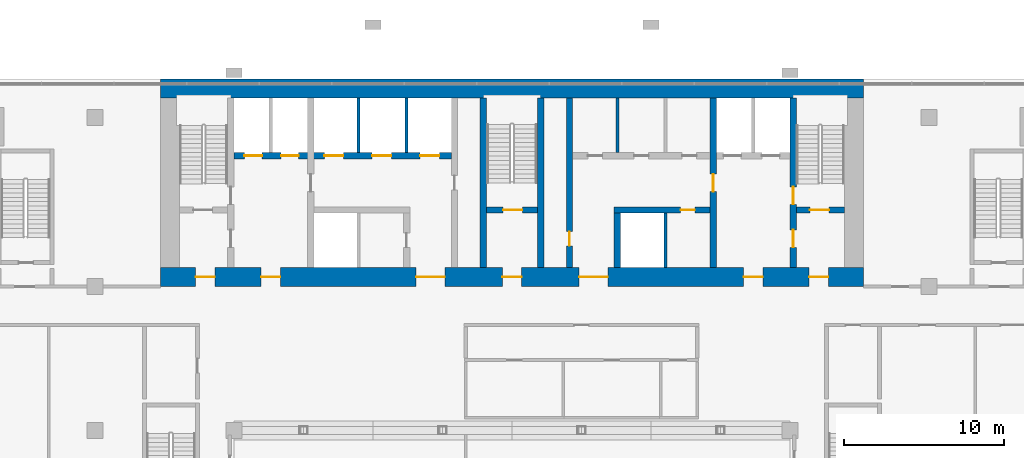
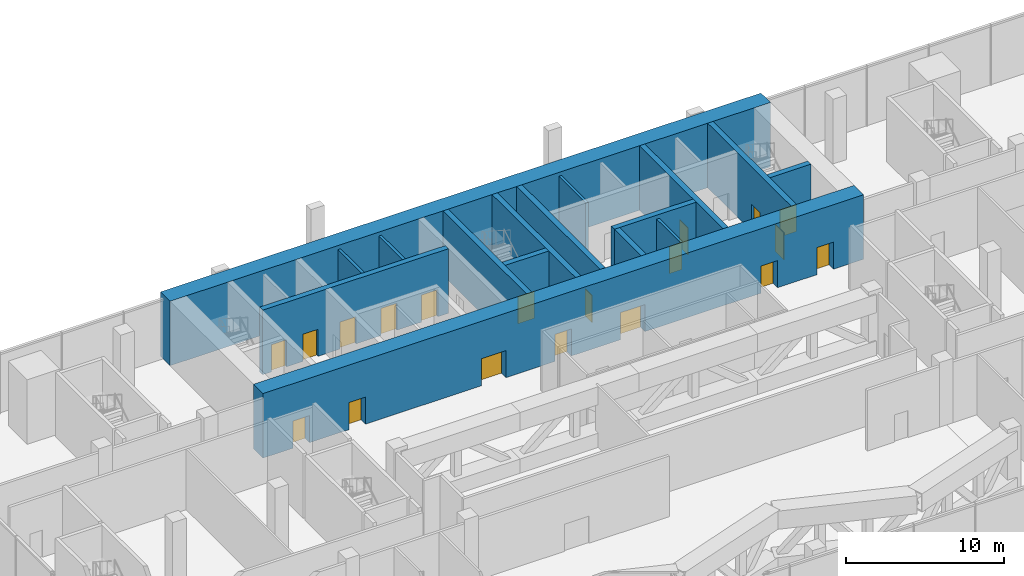
# One storey, part 15 of 22: 19 doors, 16 walls, 19 openings.
"""IFC4 building model written with IfcOpenShell, lengths in metres."""

from ifc_helpers import new_model, si_unit, direction, frame, frame_2d, origin, place, context, subcontext, project, spatial, rectangle, extrude, material, layer, layer_set, type_object, element, fill, save


model = new_model("IFC4")

# Units and contexts
model_context = context("Model", 3, precision=1e-05, world=origin(), true_north=direction((0.0, 1.0)))
body_context = subcontext(model_context, "Body", "Model", "MODEL_VIEW")
ifc_project = project(units=[si_unit("LENGTHUNIT", "METRE"), si_unit("AREAUNIT", "SQUARE_METRE"), si_unit("VOLUMEUNIT", "CUBIC_METRE"), si_unit("PLANEANGLEUNIT", "RADIAN"), si_unit("MASSUNIT", "GRAM", prefix="KILO")], contexts=[model_context])

# Site, building, storey
site_placement = place(None, origin())
site = spatial("IfcSite", under=ifc_project, at=site_placement, CompositionType="ELEMENT")
building_placement = place(site_placement, origin())
building = spatial("IfcBuilding", under=site, at=building_placement, Name="Bicima Exchange Tower", CompositionType="ELEMENT")
storey_placement = place(building_placement, frame((0.0, 0.0, 20.0)))
storey = spatial("IfcBuildingStorey", under=building, at=storey_placement, Name="L03", CompositionType="ELEMENT", Elevation=20.0)

# Walls
ifc_material_1 = material(Name="Gypsum board partition")
ifc_layer_1 = layer(ifc_material_1, 0.199951171875)
ifc_layer_set_1 = layer_set([ifc_layer_1], Name="Gypsum board partition")
wall_type_1 = type_object("IfcWallType", Name="Fire-rated gypsum partition 200 EI120", PredefinedType="PARTITIONING", material=ifc_layer_set_1)
for number, where, z_axis, x_axis, name in (
    (1, (-9.60009765625, -4.60009765625, 0.0), (0.0, 0.0, 1.0), (0.0, 1.0, 0.0), "partition wall 12"),
    (2, (-6.60009765625, -4.60009765625, 0.0), (0.0, 0.0, 1.0), (0.0, 1.0, 0.0), "partition wall 14"),
    (3, (9.60009765625, -11.800048828125, 0.0), (0.0, 0.0, 1.0), (0.0, 1.0, 0.0), "partition wall 21"),
):
    element("IfcWall", number, at=place(storey_placement, frame(where, z_axis=z_axis, x_axis=x_axis)), inside=storey, type_object=wall_type_1, Name=name, PredefinedType="PARTITIONING", context=body_context, shape_type="SweptSolid", body=[
        extrude(rectangle(XDim=3.400146484375, YDim=0.199951171875, at=frame_2d((1.7001953125, 0.0))), origin(), (0.0, 0.0, 1.0), 4.699951171875),
    ])
ifc_layer_2 = layer(ifc_material_1, 0.199951171875)
ifc_layer_set_2 = layer_set([ifc_layer_2], Name="Gypsum board partition")
wall_type_2 = type_object("IfcWallType", Name="Fire-rated gypsum partition 200 EI60", PredefinedType="PARTITIONING", material=ifc_layer_set_2)
wall_1_placement = place(storey_placement, frame((6.60009765625, -4.60009765625, 0.0), z_axis=(0.0, 0.0, 1.0), x_axis=(0.0, 1.0, 0.0)))
element("IfcWall", 4, at=wall_1_placement, inside=storey, type_object=wall_type_2, Name="partition wall 20", PredefinedType="PARTITIONING", context=body_context, shape_type="SweptSolid", body=[
    extrude(rectangle(XDim=3.400146484375, YDim=0.199951171875, at=frame_2d((1.7001953125, 0.0))), origin(), (0.0, 0.0, 1.0), 4.699951171875),
])
ifc_material_2 = material(Name="Concrete C60/75", Category="concrete")
ifc_layer_3 = layer(ifc_material_2, 1.199951171875)
ifc_layer_set_3 = layer_set([ifc_layer_3], Name="Concrete C60/75")
wall_type_3 = type_object("IfcWallType", Name="RC core wall 1200 C60/75", PredefinedType="SHEAR", material=ifc_layer_set_3)
wall_2_placement = place(storey_placement, frame((-22.0, -0.60009765625, 0.0), z_axis=(0.0, 0.0, 1.0), x_axis=(1.0, 0.0, 0.0)))
element("IfcWall", 5, at=wall_2_placement, inside=storey, type_object=wall_type_3, Name="Core wall north", PredefinedType="SHEAR", context=body_context, shape_type="SweptSolid", body=[
    extrude(rectangle(XDim=44.0, YDim=1.199951171875, at=frame_2d((22.0, 0.0))), origin(), (0.0, 0.0, 1.0), 5.0),
])

# Wall, openings, doors
wall_3_placement = place(storey_placement, frame((-22.0, -12.39990234375, 0.0), z_axis=(0.0, 0.0, 1.0), x_axis=(1.0, 0.0, 0.0)))
wall_3 = element("IfcWall", 6, at=wall_3_placement, inside=storey, type_object=wall_type_3, Name="Core wall south", PredefinedType="SHEAR", context=body_context, shape_type="SweptSolid", body=[
    extrude(rectangle(XDim=44.0, YDim=1.199951171875, at=frame_2d((22.0, 0.0))), origin(), (0.0, 0.0, 1.0), 5.0),
])
opening_1_placement = place(wall_3_placement, frame((2.199951171875, 0.0, 0.0)))
opening_1 = element("IfcOpeningElement", 7, at=opening_1_placement, cuts=wall_3, Name="Opening L03-C17", PredefinedType="OPENING", context=body_context, shape_type="SweptSolid", body=[
    extrude(rectangle(XDim=1.199951171875, YDim=2.10009765625, at=frame_2d((0.60009765625, 1.050048828125))), frame((0.0, 0.61181640625, 0.0), z_axis=(0.0, -1.0, 0.0), x_axis=(1.0, 0.0, 0.0)), (0.0, 0.0, 1.0), 1.223876953125),
])
opening_2_placement = place(wall_3_placement, frame((21.39990234375, 0.0, 0.0)))
opening_2 = element("IfcOpeningElement", 8, at=opening_2_placement, cuts=wall_3, Name="Opening L03-C18", PredefinedType="OPENING", context=body_context, shape_type="SweptSolid", body=[
    extrude(rectangle(XDim=1.199951171875, YDim=2.10009765625, at=frame_2d((0.60009765625, 1.050048828125))), frame((0.0, 0.61181640625, 0.0), z_axis=(0.0, -1.0, 0.0), x_axis=(1.0, 0.0, 0.0)), (0.0, 0.0, 1.0), 1.223876953125),
])
opening_3_placement = place(wall_3_placement, frame((40.60009765625, 0.0, 0.0)))
opening_3 = element("IfcOpeningElement", 9, at=opening_3_placement, cuts=wall_3, Name="Opening L03-C19", PredefinedType="OPENING", context=body_context, shape_type="SweptSolid", body=[
    extrude(rectangle(XDim=1.199951171875, YDim=2.10009765625, at=frame_2d((0.60009765625, 1.050048828125))), frame((0.0, 0.61181640625, 0.0), z_axis=(0.0, -1.0, 0.0), x_axis=(1.0, 0.0, 0.0)), (0.0, 0.0, 1.0), 1.223876953125),
])
opening_4_placement = place(wall_3_placement, frame((16.0, 0.0, 0.0)))
opening_4 = element("IfcOpeningElement", 10, at=opening_4_placement, cuts=wall_3, Name="Opening L03-C20", PredefinedType="OPENING", context=body_context, shape_type="SweptSolid", body=[
    extrude(rectangle(XDim=1.800048828125, YDim=2.10009765625, at=frame_2d((0.89990234375, 1.050048828125))), frame((0.0, 0.61181640625, 0.0), z_axis=(0.0, -1.0, 0.0), x_axis=(1.0, 0.0, 0.0)), (0.0, 0.0, 1.0), 1.223876953125),
])
opening_5_placement = place(wall_3_placement, frame((6.300048828125, 0.0, 0.0)))
opening_5 = element("IfcOpeningElement", 11, at=opening_5_placement, cuts=wall_3, Name="Opening L03-C21", PredefinedType="OPENING", context=body_context, shape_type="SweptSolid", body=[
    extrude(rectangle(XDim=1.199951171875, YDim=2.10009765625, at=frame_2d((0.60009765625, 1.050048828125))), frame((0.0, 0.61181640625, 0.0), z_axis=(0.0, -1.0, 0.0), x_axis=(1.0, 0.0, 0.0)), (0.0, 0.0, 1.0), 1.223876953125),
])
opening_6_placement = place(wall_3_placement, frame((26.199951171875, 0.0, 0.0)))
opening_6 = element("IfcOpeningElement", 12, at=opening_6_placement, cuts=wall_3, Name="Opening L03-C22", PredefinedType="OPENING", context=body_context, shape_type="SweptSolid", body=[
    extrude(rectangle(XDim=1.800048828125, YDim=2.10009765625, at=frame_2d((0.89990234375, 1.050048828125))), frame((0.0, 0.61181640625, 0.0), z_axis=(0.0, -1.0, 0.0), x_axis=(1.0, 0.0, 0.0)), (0.0, 0.0, 1.0), 1.223876953125),
])
opening_7_placement = place(wall_3_placement, frame((36.5, 0.0, 0.0)))
opening_7 = element("IfcOpeningElement", 13, at=opening_7_placement, cuts=wall_3, Name="Opening L03-C23", PredefinedType="OPENING", context=body_context, shape_type="SweptSolid", body=[
    extrude(rectangle(XDim=1.199951171875, YDim=2.10009765625, at=frame_2d((0.60009765625, 1.050048828125))), frame((0.0, 0.61181640625, 0.0), z_axis=(0.0, -1.0, 0.0), x_axis=(1.0, 0.0, 0.0)), (0.0, 0.0, 1.0), 1.223876953125),
])
ifc_material_3 = material(Name="Steel fire door leaf", Category="steel")
door_type_1 = type_object("IfcDoorType", Name="Door 1200 swing FD60S", OperationType="SINGLE_SWING_LEFT", PredefinedType="DOOR", material=ifc_material_3)
door_1_placement = place(opening_1_placement, frame((1.199951171875, 0.0, 0.0), z_axis=(0.0, 0.0, 1.0), x_axis=(-1.0, 0.0, 0.0)))
door_1 = element("IfcDoor", 14, at=door_1_placement, inside=storey, type_object=door_type_1, Name="Core door", OperationType="SINGLE_SWING_RIGHT", OverallHeight=2.10009765625, OverallWidth=1.199951171875, PredefinedType="DOOR", context=body_context, shape_type="SweptSolid", body=[
    extrude(rectangle(XDim=1.199951171875, YDim=2.10009765625, at=frame_2d((0.60009765625, 1.050048828125))), frame((0.0, 0.02490234375, 0.0), z_axis=(0.0, -1.0, 0.0), x_axis=(1.0, 0.0, 0.0)), (0.0, 0.0, 1.0), 0.050048828125),
])
fill(opening_1, door_1)
door_2_placement = place(opening_2_placement, frame((1.199951171875, 0.0, 0.0), z_axis=(0.0, 0.0, 1.0), x_axis=(-1.0, 0.0, 0.0)))
door_2 = element("IfcDoor", 15, at=door_2_placement, inside=storey, type_object=door_type_1, Name="Core door", OperationType="SINGLE_SWING_RIGHT", OverallHeight=2.10009765625, OverallWidth=1.199951171875, PredefinedType="DOOR", context=body_context, shape_type="SweptSolid", body=[
    extrude(rectangle(XDim=1.199951171875, YDim=2.10009765625, at=frame_2d((0.60009765625, 1.050048828125))), frame((0.0, 0.02490234375, 0.0), z_axis=(0.0, -1.0, 0.0), x_axis=(1.0, 0.0, 0.0)), (0.0, 0.0, 1.0), 0.050048828125),
])
fill(opening_2, door_2)
door_3_placement = place(opening_3_placement, frame((1.199951171875, 0.0, 0.0), z_axis=(0.0, 0.0, 1.0), x_axis=(-1.0, 0.0, 0.0)))
door_3 = element("IfcDoor", 16, at=door_3_placement, inside=storey, type_object=door_type_1, Name="Core door", OperationType="SINGLE_SWING_RIGHT", OverallHeight=2.10009765625, OverallWidth=1.199951171875, PredefinedType="DOOR", context=body_context, shape_type="SweptSolid", body=[
    extrude(rectangle(XDim=1.199951171875, YDim=2.10009765625, at=frame_2d((0.60009765625, 1.050048828125))), frame((0.0, 0.02490234375, 0.0), z_axis=(0.0, -1.0, 0.0), x_axis=(1.0, 0.0, 0.0)), (0.0, 0.0, 1.0), 0.050048828125),
])
fill(opening_3, door_3)
door_4_placement = place(opening_5_placement, frame((1.199951171875, 0.0, 0.0), z_axis=(0.0, 0.0, 1.0), x_axis=(-1.0, 0.0, 0.0)))
door_4 = element("IfcDoor", 17, at=door_4_placement, inside=storey, type_object=door_type_1, Name="Core door", OperationType="SINGLE_SWING_RIGHT", OverallHeight=2.10009765625, OverallWidth=1.199951171875, PredefinedType="DOOR", context=body_context, shape_type="SweptSolid", body=[
    extrude(rectangle(XDim=1.199951171875, YDim=2.10009765625, at=frame_2d((0.60009765625, 1.050048828125))), frame((0.0, 0.02490234375, 0.0), z_axis=(0.0, -1.0, 0.0), x_axis=(1.0, 0.0, 0.0)), (0.0, 0.0, 1.0), 0.050048828125),
])
fill(opening_5, door_4)
door_5_placement = place(opening_7_placement, frame((1.199951171875, 0.0, 0.0), z_axis=(0.0, 0.0, 1.0), x_axis=(-1.0, 0.0, 0.0)))
door_5 = element("IfcDoor", 18, at=door_5_placement, inside=storey, type_object=door_type_1, Name="Core door", OperationType="SINGLE_SWING_RIGHT", OverallHeight=2.10009765625, OverallWidth=1.199951171875, PredefinedType="DOOR", context=body_context, shape_type="SweptSolid", body=[
    extrude(rectangle(XDim=1.199951171875, YDim=2.10009765625, at=frame_2d((0.60009765625, 1.050048828125))), frame((0.0, 0.02490234375, 0.0), z_axis=(0.0, -1.0, 0.0), x_axis=(1.0, 0.0, 0.0)), (0.0, 0.0, 1.0), 0.050048828125),
])
fill(opening_7, door_5)
door_type_2 = type_object("IfcDoorType", Name="Door 1800 double swing FD30S", OperationType="DOUBLE_DOOR_SINGLE_SWING", PredefinedType="DOOR", material=ifc_material_3)
door_6_placement = place(opening_4_placement, origin())
door_6 = element("IfcDoor", 19, at=door_6_placement, inside=storey, type_object=door_type_2, Name="Core door", OperationType="SINGLE_SWING_LEFT", OverallHeight=2.10009765625, OverallWidth=1.800048828125, PredefinedType="DOOR", context=body_context, shape_type="SweptSolid", body=[
    extrude(rectangle(XDim=1.800048828125, YDim=2.10009765625, at=frame_2d((0.89990234375, 1.050048828125))), frame((0.0, 0.02490234375, 0.0), z_axis=(0.0, -1.0, 0.0), x_axis=(1.0, 0.0, 0.0)), (0.0, 0.0, 1.0), 0.050048828125),
])
fill(opening_4, door_6)
door_7_placement = place(opening_6_placement, origin())
door_7 = element("IfcDoor", 20, at=door_7_placement, inside=storey, type_object=door_type_2, Name="Core door", OperationType="SINGLE_SWING_LEFT", OverallHeight=2.10009765625, OverallWidth=1.800048828125, PredefinedType="DOOR", context=body_context, shape_type="SweptSolid", body=[
    extrude(rectangle(XDim=1.800048828125, YDim=2.10009765625, at=frame_2d((0.89990234375, 1.050048828125))), frame((0.0, 0.02490234375, 0.0), z_axis=(0.0, -1.0, 0.0), x_axis=(1.0, 0.0, 0.0)), (0.0, 0.0, 1.0), 0.050048828125),
])
fill(opening_6, door_7)

# Wall, opening, door
ifc_material_4 = material(Name="Concrete C50/60", Category="concrete")
ifc_layer_4 = layer(ifc_material_4, 0.39990234375)
ifc_layer_set_4 = layer_set([ifc_layer_4], Name="Concrete C50/60")
wall_type_4 = type_object("IfcWallType", Name="RC core wall 400 C50/60", PredefinedType="SHEAR", material=ifc_layer_set_4)
wall_4_placement = place(storey_placement, frame((-1.60009765625, -8.199951171875, 0.0), z_axis=(0.0, 0.0, 1.0), x_axis=(1.0, 0.0, 0.0)))
wall_4 = element("IfcWall", 21, at=wall_4_placement, inside=storey, type_object=wall_type_4, Name="stair wall 3", PredefinedType="SHEAR", context=body_context, shape_type="SweptSolid", body=[
    extrude(rectangle(XDim=3.2001953125, YDim=0.39990234375, at=frame_2d((1.60009765625, 0.0))), origin(), (0.0, 0.0, 1.0), 5.0),
])
opening_8_placement = place(wall_4_placement, frame((1.050048828125, 0.0, 0.0)))
opening_8 = element("IfcOpeningElement", 22, at=opening_8_placement, cuts=wall_4, Name="Opening L03-C03", PredefinedType="OPENING", context=body_context, shape_type="SweptSolid", body=[
    extrude(rectangle(XDim=1.199951171875, YDim=2.10009765625, at=frame_2d((0.60009765625, 1.050048828125))), frame((0.0, 0.2119140625, 0.0), z_axis=(0.0, -1.0, 0.0), x_axis=(1.0, 0.0, 0.0)), (0.0, 0.0, 1.0), 0.423828125),
])
door_8_placement = place(opening_8_placement, origin())
door_8 = element("IfcDoor", 23, at=door_8_placement, inside=storey, type_object=door_type_1, Name="Core door", OperationType="SINGLE_SWING_LEFT", OverallHeight=2.10009765625, OverallWidth=1.199951171875, PredefinedType="DOOR", context=body_context, shape_type="SweptSolid", body=[
    extrude(rectangle(XDim=1.199951171875, YDim=2.10009765625, at=frame_2d((0.60009765625, 1.050048828125))), frame((0.0, 0.02490234375, 0.0), z_axis=(0.0, -1.0, 0.0), x_axis=(1.0, 0.0, 0.0)), (0.0, 0.0, 1.0), 0.050048828125),
])
fill(opening_8, door_8)

wall_5_placement = place(storey_placement, frame((17.800048828125, -8.199951171875, 0.0), z_axis=(0.0, 0.0, 1.0), x_axis=(1.0, 0.0, 0.0)))
wall_5 = element("IfcWall", 24, at=wall_5_placement, inside=storey, type_object=wall_type_4, Name="stair wall 5", PredefinedType="SHEAR", context=body_context, shape_type="SweptSolid", body=[
    extrude(rectangle(XDim=3.0, YDim=0.39990234375, at=frame_2d((1.5, 0.0))), origin(), (0.0, 0.0, 1.0), 5.0),
])
opening_9_placement = place(wall_5_placement, frame((0.85009765625, 0.0, 0.0)))
opening_9 = element("IfcOpeningElement", 25, at=opening_9_placement, cuts=wall_5, Name="Opening L03-C04", PredefinedType="OPENING", context=body_context, shape_type="SweptSolid", body=[
    extrude(rectangle(XDim=1.199951171875, YDim=2.10009765625, at=frame_2d((0.60009765625, 1.050048828125))), frame((0.0, 0.2119140625, 0.0), z_axis=(0.0, -1.0, 0.0), x_axis=(1.0, 0.0, 0.0)), (0.0, 0.0, 1.0), 0.423828125),
])
door_9_placement = place(opening_9_placement, origin())
door_9 = element("IfcDoor", 26, at=door_9_placement, inside=storey, type_object=door_type_1, Name="Core door", OperationType="SINGLE_SWING_RIGHT", OverallHeight=2.10009765625, OverallWidth=1.199951171875, PredefinedType="DOOR", context=body_context, shape_type="SweptSolid", body=[
    extrude(rectangle(XDim=1.199951171875, YDim=2.10009765625, at=frame_2d((0.60009765625, 1.050048828125))), frame((0.0, 0.02490234375, 0.0), z_axis=(0.0, -1.0, 0.0), x_axis=(1.0, 0.0, 0.0)), (0.0, 0.0, 1.0), 0.050048828125),
])
fill(opening_9, door_9)

# Walls
for number, where, z_axis, x_axis, name in (
    (27, (-1.800048828125, -11.800048828125, 0.0), (0.0, 0.0, 1.0), (0.0, 1.0, 0.0), "stair wall 16"),
    (28, (1.800048828125, -11.800048828125, 0.0), (0.0, 0.0, 1.0), (0.0, 1.0, 0.0), "stair wall 17"),
):
    element("IfcWall", number, at=place(storey_placement, frame(where, z_axis=z_axis, x_axis=x_axis)), inside=storey, type_object=wall_type_4, Name=name, PredefinedType="SHEAR", context=body_context, shape_type="SweptSolid", body=[
        extrude(rectangle(XDim=10.60009765625, YDim=0.39990234375, at=frame_2d((5.300048828125, 0.0))), origin(), (0.0, 0.0, 1.0), 5.0),
    ])

# Wall, openings, doors
wall_6_placement = place(storey_placement, frame((17.60009765625, -11.800048828125, 0.0), z_axis=(0.0, 0.0, 1.0), x_axis=(0.0, 1.0, 0.0)))
wall_6 = element("IfcWall", 29, at=wall_6_placement, inside=storey, type_object=wall_type_4, Name="stair wall 25", PredefinedType="SHEAR", context=body_context, shape_type="SweptSolid", body=[
    extrude(rectangle(XDim=10.60009765625, YDim=0.39990234375, at=frame_2d((5.300048828125, 0.0))), origin(), (0.0, 0.0, 1.0), 5.0),
])
opening_10_placement = place(wall_6_placement, frame((1.25, 0.0, 0.0)))
opening_10 = element("IfcOpeningElement", 30, at=opening_10_placement, cuts=wall_6, Name="Opening L03-C05", PredefinedType="OPENING", context=body_context, shape_type="SweptSolid", body=[
    extrude(rectangle(XDim=1.10009765625, YDim=2.10009765625, at=frame_2d((0.550048828125, 1.050048828125))), frame((0.0, 0.2119140625, 0.0), z_axis=(0.0, -1.0, 0.0), x_axis=(1.0, 0.0, 0.0)), (0.0, 0.0, 1.0), 0.423828125),
])
opening_11_placement = place(wall_6_placement, frame((3.949951171875, 0.0, 0.0)))
opening_11 = element("IfcOpeningElement", 31, at=opening_11_placement, cuts=wall_6, Name="Opening L03-C08", PredefinedType="OPENING", context=body_context, shape_type="SweptSolid", body=[
    extrude(rectangle(XDim=1.10009765625, YDim=2.10009765625, at=frame_2d((0.550048828125, 1.050048828125))), frame((0.0, 0.2119140625, 0.0), z_axis=(0.0, -1.0, 0.0), x_axis=(1.0, 0.0, 0.0)), (0.0, 0.0, 1.0), 0.423828125),
])
door_type_3 = type_object("IfcDoorType", Name="Door 1100 swing FD60S", OperationType="SINGLE_SWING_LEFT", PredefinedType="DOOR", material=ifc_material_3)
door_10_placement = place(opening_10_placement, origin())
door_10 = element("IfcDoor", 32, at=door_10_placement, inside=storey, type_object=door_type_3, Name="Core door", OperationType="SINGLE_SWING_LEFT", OverallHeight=2.10009765625, OverallWidth=1.10009765625, PredefinedType="DOOR", context=body_context, shape_type="SweptSolid", body=[
    extrude(rectangle(XDim=1.10009765625, YDim=2.10009765625, at=frame_2d((0.550048828125, 1.050048828125))), frame((0.0, 0.02490234375, 0.0), z_axis=(0.0, -1.0, 0.0), x_axis=(1.0, 0.0, 0.0)), (0.0, 0.0, 1.0), 0.050048828125),
])
fill(opening_10, door_10)
door_11_placement = place(opening_11_placement, origin())
door_11 = element("IfcDoor", 33, at=door_11_placement, inside=storey, type_object=door_type_3, Name="Core door", OperationType="SINGLE_SWING_RIGHT", OverallHeight=2.10009765625, OverallWidth=1.10009765625, PredefinedType="DOOR", context=body_context, shape_type="SweptSolid", body=[
    extrude(rectangle(XDim=1.10009765625, YDim=2.10009765625, at=frame_2d((0.550048828125, 1.050048828125))), frame((0.0, 0.02490234375, 0.0), z_axis=(0.0, -1.0, 0.0), x_axis=(1.0, 0.0, 0.0)), (0.0, 0.0, 1.0), 0.050048828125),
])
fill(opening_11, door_11)

# Wall, opening, door
ifc_layer_5 = layer(ifc_material_2, 0.39990234375)
ifc_layer_set_5 = layer_set([ifc_layer_5], Name="Concrete C60/75")
wall_type_5 = type_object("IfcWallType", Name="RC core wall 400 C60/75", PredefinedType="SHEAR", material=ifc_layer_set_5)
wall_7_placement = place(storey_placement, frame((6.39990234375, -8.199951171875, 0.0), z_axis=(0.0, 0.0, 1.0), x_axis=(1.0, 0.0, 0.0)))
wall_7 = element("IfcWall", 34, at=wall_7_placement, inside=storey, type_object=wall_type_5, Name="shear wall 4", PredefinedType="SHEAR", context=body_context, shape_type="SweptSolid", body=[
    extrude(rectangle(XDim=6.0, YDim=0.39990234375, at=frame_2d((3.0, 0.0))), origin(), (0.0, 0.0, 1.0), 5.0),
])
opening_12_placement = place(wall_7_placement, frame((4.14990234375, 0.0, 0.0)))
opening_12 = element("IfcOpeningElement", 35, at=opening_12_placement, cuts=wall_7, Name="Opening L03-C16", PredefinedType="OPENING", context=body_context, shape_type="SweptSolid", body=[
    extrude(rectangle(XDim=0.89990234375, YDim=2.10009765625, at=frame_2d((0.449951171875, 1.050048828125))), frame((0.0, 0.2119140625, 0.0), z_axis=(0.0, -1.0, 0.0), x_axis=(1.0, 0.0, 0.0)), (0.0, 0.0, 1.0), 0.423828125),
])
door_type_4 = type_object("IfcDoorType", Name="Door 900 swing FD30S", OperationType="SINGLE_SWING_LEFT", PredefinedType="DOOR", material=ifc_material_3)
door_12_placement = place(opening_12_placement, frame((0.89990234375, 0.0, 0.0), z_axis=(0.0, 0.0, 1.0), x_axis=(-1.0, 0.0, 0.0)))
door_12 = element("IfcDoor", 36, at=door_12_placement, inside=storey, type_object=door_type_4, Name="Core door", OperationType="SINGLE_SWING_LEFT", OverallHeight=2.10009765625, OverallWidth=0.89990234375, PredefinedType="DOOR", context=body_context, shape_type="SweptSolid", body=[
    extrude(rectangle(XDim=0.89990234375, YDim=2.10009765625, at=frame_2d((0.449951171875, 1.050048828125))), frame((0.0, 0.02490234375, 0.0), z_axis=(0.0, -1.0, 0.0), x_axis=(1.0, 0.0, 0.0)), (0.0, 0.0, 1.0), 0.050048828125),
])
fill(opening_12, door_12)

# Wall, openings, doors
wall_8_placement = place(storey_placement, frame((-17.39990234375, -4.800048828125, 0.0), z_axis=(0.0, 0.0, 1.0), x_axis=(1.0, 0.0, 0.0)))
wall_8 = element("IfcWall", 37, at=wall_8_placement, inside=storey, type_object=wall_type_5, Name="shear wall 6", PredefinedType="SHEAR", context=body_context, shape_type="SweptSolid", body=[
    extrude(rectangle(XDim=13.599853515625, YDim=0.39990234375, at=frame_2d((6.7998046875, 0.0))), origin(), (0.0, 0.0, 1.0), 5.0),
])
opening_13_placement = place(wall_8_placement, frame((0.64990234375, 0.0, 0.0)))
opening_13 = element("IfcOpeningElement", 38, at=opening_13_placement, cuts=wall_8, Name="Opening LD-FF1-L03", PredefinedType="OPENING", context=body_context, shape_type="SweptSolid", body=[
    extrude(rectangle(XDim=1.10009765625, YDim=2.10009765625, at=frame_2d((0.550048828125, 1.050048828125))), frame((0.0, 0.2119140625, 0.0), z_axis=(0.0, -1.0, 0.0), x_axis=(1.0, 0.0, 0.0)), (0.0, 0.0, 1.0), 0.423828125),
])
opening_14_placement = place(wall_8_placement, frame((2.949951171875, 0.0, 0.0)))
opening_14 = element("IfcOpeningElement", 39, at=opening_14_placement, cuts=wall_8, Name="Opening LD-FF3-L03", PredefinedType="OPENING", context=body_context, shape_type="SweptSolid", body=[
    extrude(rectangle(XDim=1.10009765625, YDim=2.10009765625, at=frame_2d((0.550048828125, 1.050048828125))), frame((0.0, 0.2119140625, 0.0), z_axis=(0.0, -1.0, 0.0), x_axis=(1.0, 0.0, 0.0)), (0.0, 0.0, 1.0), 0.423828125),
])
opening_15_placement = place(wall_8_placement, frame((5.64990234375, 0.0, 0.0)))
opening_15 = element("IfcOpeningElement", 40, at=opening_15_placement, cuts=wall_8, Name="Opening LD-LB1-L03", PredefinedType="OPENING", context=body_context, shape_type="SweptSolid", body=[
    extrude(rectangle(XDim=1.199951171875, YDim=2.10009765625, at=frame_2d((0.60009765625, 1.050048828125))), frame((0.0, 0.2119140625, 0.0), z_axis=(0.0, -1.0, 0.0), x_axis=(1.0, 0.0, 0.0)), (0.0, 0.0, 1.0), 0.423828125),
])
opening_16_placement = place(wall_8_placement, frame((8.64990234375, 0.0, 0.0)))
opening_16 = element("IfcOpeningElement", 41, at=opening_16_placement, cuts=wall_8, Name="Opening LD-LB2-L03", PredefinedType="OPENING", context=body_context, shape_type="SweptSolid", body=[
    extrude(rectangle(XDim=1.199951171875, YDim=2.10009765625, at=frame_2d((0.60009765625, 1.050048828125))), frame((0.0, 0.2119140625, 0.0), z_axis=(0.0, -1.0, 0.0), x_axis=(1.0, 0.0, 0.0)), (0.0, 0.0, 1.0), 0.423828125),
])
opening_17_placement = place(wall_8_placement, frame((11.64990234375, 0.0, 0.0)))
opening_17 = element("IfcOpeningElement", 42, at=opening_17_placement, cuts=wall_8, Name="Opening LD-LB3-L03", PredefinedType="OPENING", context=body_context, shape_type="SweptSolid", body=[
    extrude(rectangle(XDim=1.199951171875, YDim=2.10009765625, at=frame_2d((0.60009765625, 1.050048828125))), frame((0.0, 0.2119140625, 0.0), z_axis=(0.0, -1.0, 0.0), x_axis=(1.0, 0.0, 0.0)), (0.0, 0.0, 1.0), 0.423828125),
])
ifc_material_5 = material(Name="Stainless steel", Category="steel")
door_type_5 = type_object("IfcDoorType", Name="Lift landing door 1100 sliding", OperationType="DOUBLE_DOOR_SLIDING", PredefinedType="DOOR", material=ifc_material_5)
door_13_placement = place(opening_13_placement, origin())
door_13 = element("IfcDoor", 43, at=door_13_placement, inside=storey, type_object=door_type_5, Name="Lift landing door FF1", OperationType="DOUBLE_DOOR_SLIDING", OverallHeight=2.10009765625, OverallWidth=1.10009765625, PredefinedType="DOOR", context=body_context, shape_type="SweptSolid", body=[
    extrude(rectangle(XDim=1.10009765625, YDim=2.10009765625, at=frame_2d((0.550048828125, 1.050048828125))), frame((0.0, 0.02490234375, 0.0), z_axis=(0.0, -1.0, 0.0), x_axis=(1.0, 0.0, 0.0)), (0.0, 0.0, 1.0), 0.050048828125),
])
fill(opening_13, door_13)
door_14_placement = place(opening_14_placement, origin())
door_14 = element("IfcDoor", 44, at=door_14_placement, inside=storey, type_object=door_type_5, Name="Lift landing door FF3", OperationType="DOUBLE_DOOR_SLIDING", OverallHeight=2.10009765625, OverallWidth=1.10009765625, PredefinedType="DOOR", context=body_context, shape_type="SweptSolid", body=[
    extrude(rectangle(XDim=1.10009765625, YDim=2.10009765625, at=frame_2d((0.550048828125, 1.050048828125))), frame((0.0, 0.02490234375, 0.0), z_axis=(0.0, -1.0, 0.0), x_axis=(1.0, 0.0, 0.0)), (0.0, 0.0, 1.0), 0.050048828125),
])
fill(opening_14, door_14)
door_type_6 = type_object("IfcDoorType", Name="Lift landing door 1200 sliding", OperationType="DOUBLE_DOOR_SLIDING", PredefinedType="DOOR", material=ifc_material_5)
door_15_placement = place(opening_15_placement, origin())
door_15 = element("IfcDoor", 45, at=door_15_placement, inside=storey, type_object=door_type_6, Name="Lift landing door LB1", OperationType="DOUBLE_DOOR_SLIDING", OverallHeight=2.10009765625, OverallWidth=1.199951171875, PredefinedType="DOOR", context=body_context, shape_type="SweptSolid", body=[
    extrude(rectangle(XDim=1.199951171875, YDim=2.10009765625, at=frame_2d((0.60009765625, 1.050048828125))), frame((0.0, 0.02490234375, 0.0), z_axis=(0.0, -1.0, 0.0), x_axis=(1.0, 0.0, 0.0)), (0.0, 0.0, 1.0), 0.050048828125),
])
fill(opening_15, door_15)
door_16_placement = place(opening_16_placement, origin())
door_16 = element("IfcDoor", 46, at=door_16_placement, inside=storey, type_object=door_type_6, Name="Lift landing door LB2", OperationType="DOUBLE_DOOR_SLIDING", OverallHeight=2.10009765625, OverallWidth=1.199951171875, PredefinedType="DOOR", context=body_context, shape_type="SweptSolid", body=[
    extrude(rectangle(XDim=1.199951171875, YDim=2.10009765625, at=frame_2d((0.60009765625, 1.050048828125))), frame((0.0, 0.02490234375, 0.0), z_axis=(0.0, -1.0, 0.0), x_axis=(1.0, 0.0, 0.0)), (0.0, 0.0, 1.0), 0.050048828125),
])
fill(opening_16, door_16)
door_17_placement = place(opening_17_placement, origin())
door_17 = element("IfcDoor", 47, at=door_17_placement, inside=storey, type_object=door_type_6, Name="Lift landing door LB3", OperationType="DOUBLE_DOOR_SLIDING", OverallHeight=2.10009765625, OverallWidth=1.199951171875, PredefinedType="DOOR", context=body_context, shape_type="SweptSolid", body=[
    extrude(rectangle(XDim=1.199951171875, YDim=2.10009765625, at=frame_2d((0.60009765625, 1.050048828125))), frame((0.0, 0.02490234375, 0.0), z_axis=(0.0, -1.0, 0.0), x_axis=(1.0, 0.0, 0.0)), (0.0, 0.0, 1.0), 0.050048828125),
])
fill(opening_17, door_17)

# Wall, opening, door
wall_9_placement = place(storey_placement, frame((3.60009765625, -11.800048828125, 0.0), z_axis=(0.0, 0.0, 1.0), x_axis=(0.0, 1.0, 0.0)))
wall_9 = element("IfcWall", 48, at=wall_9_placement, inside=storey, type_object=wall_type_5, Name="shear wall 18", PredefinedType="SHEAR", context=body_context, shape_type="SweptSolid", body=[
    extrude(rectangle(XDim=10.60009765625, YDim=0.39990234375, at=frame_2d((5.300048828125, 0.0))), origin(), (0.0, 0.0, 1.0), 5.0),
])
opening_18_placement = place(wall_9_placement, frame((1.35009765625, 0.0, 0.0)))
opening_18 = element("IfcOpeningElement", 49, at=opening_18_placement, cuts=wall_9, Name="Opening L03-C11", PredefinedType="OPENING", context=body_context, shape_type="SweptSolid", body=[
    extrude(rectangle(XDim=0.89990234375, YDim=2.10009765625, at=frame_2d((0.449951171875, 1.050048828125))), frame((0.0, 0.2119140625, 0.0), z_axis=(0.0, -1.0, 0.0), x_axis=(1.0, 0.0, 0.0)), (0.0, 0.0, 1.0), 0.423828125),
])
door_18_placement = place(opening_18_placement, origin())
door_18 = element("IfcDoor", 50, at=door_18_placement, inside=storey, type_object=door_type_4, Name="Core door", OperationType="SINGLE_SWING_LEFT", OverallHeight=2.10009765625, OverallWidth=0.89990234375, PredefinedType="DOOR", context=body_context, shape_type="SweptSolid", body=[
    extrude(rectangle(XDim=0.89990234375, YDim=2.10009765625, at=frame_2d((0.449951171875, 1.050048828125))), frame((0.0, 0.02490234375, 0.0), z_axis=(0.0, -1.0, 0.0), x_axis=(1.0, 0.0, 0.0)), (0.0, 0.0, 1.0), 0.050048828125),
])
fill(opening_18, door_18)

# Wall
wall_10_placement = place(storey_placement, frame((6.60009765625, -11.800048828125, 0.0), z_axis=(0.0, 0.0, 1.0), x_axis=(0.0, 1.0, 0.0)))
element("IfcWall", 51, at=wall_10_placement, inside=storey, type_object=wall_type_5, Name="shear wall 19", PredefinedType="SHEAR", context=body_context, shape_type="SweptSolid", body=[
    extrude(rectangle(XDim=3.400146484375, YDim=0.39990234375, at=frame_2d((1.7001953125, 0.0))), origin(), (0.0, 0.0, 1.0), 5.0),
])

# Wall, opening, door
wall_11_placement = place(storey_placement, frame((12.60009765625, -11.800048828125, 0.0), z_axis=(0.0, 0.0, 1.0), x_axis=(0.0, 1.0, 0.0)))
wall_11 = element("IfcWall", 52, at=wall_11_placement, inside=storey, type_object=wall_type_5, Name="shear wall 23", PredefinedType="SHEAR", context=body_context, shape_type="SweptSolid", body=[
    extrude(rectangle(XDim=10.60009765625, YDim=0.39990234375, at=frame_2d((5.300048828125, 0.0))), origin(), (0.0, 0.0, 1.0), 5.0),
])
opening_19_placement = place(wall_11_placement, frame((4.75, 0.0, 0.0)))
opening_19 = element("IfcOpeningElement", 53, at=opening_19_placement, cuts=wall_11, Name="Opening L03-C09", PredefinedType="OPENING", context=body_context, shape_type="SweptSolid", body=[
    extrude(rectangle(XDim=1.10009765625, YDim=2.10009765625, at=frame_2d((0.550048828125, 1.050048828125))), frame((0.0, 0.2119140625, 0.0), z_axis=(0.0, -1.0, 0.0), x_axis=(1.0, 0.0, 0.0)), (0.0, 0.0, 1.0), 0.423828125),
])
door_19_placement = place(opening_19_placement, frame((1.10009765625, 0.0, 0.0), z_axis=(0.0, 0.0, 1.0), x_axis=(-1.0, 0.0, 0.0)))
door_19 = element("IfcDoor", 54, at=door_19_placement, inside=storey, type_object=door_type_3, Name="Core door", OperationType="SINGLE_SWING_RIGHT", OverallHeight=2.10009765625, OverallWidth=1.10009765625, PredefinedType="DOOR", context=body_context, shape_type="SweptSolid", body=[
    extrude(rectangle(XDim=1.10009765625, YDim=2.10009765625, at=frame_2d((0.550048828125, 1.050048828125))), frame((0.0, 0.02490234375, 0.0), z_axis=(0.0, -1.0, 0.0), x_axis=(1.0, 0.0, 0.0)), (0.0, 0.0, 1.0), 0.050048828125),
])
fill(opening_19, door_19)

save(model, "model.ifc")
